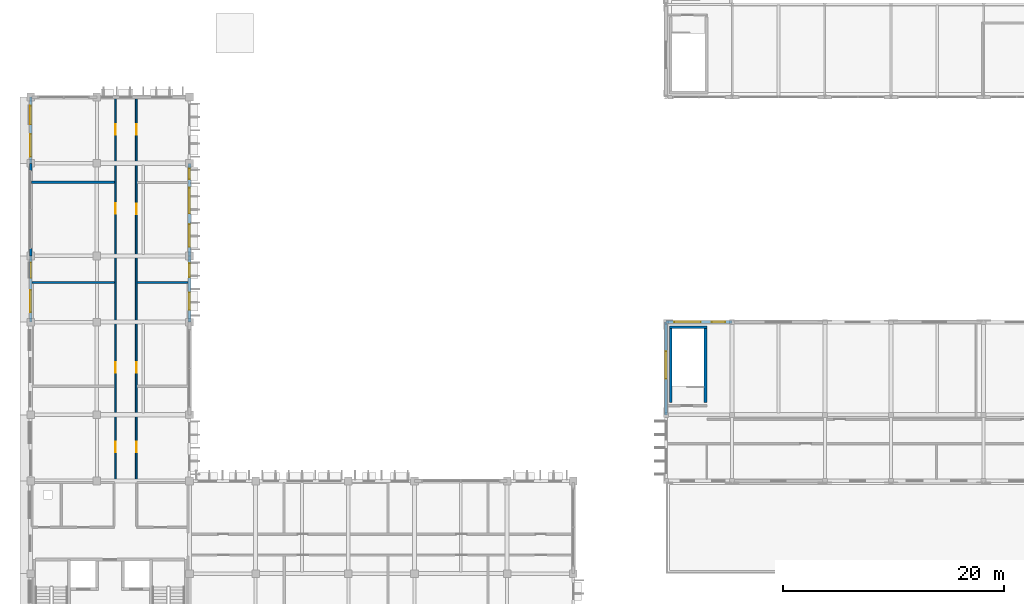
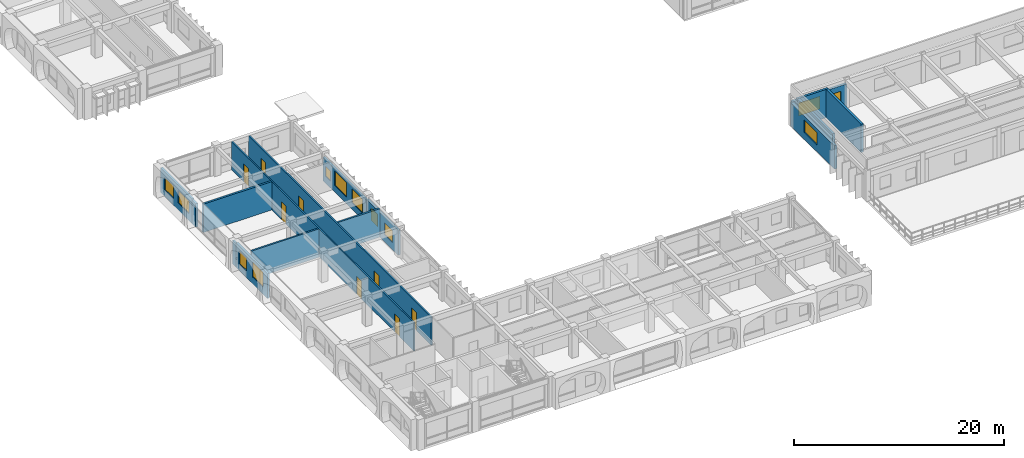
# One storey, part 49 of 88: 16 walls, 12 windows, 8 doors, 20 openings.
"""IFC4 building model written with IfcOpenShell, lengths in metres."""

from ifc_helpers import new_model, si_unit, direction, frame, frame_2d, origin, place, context, subcontext, project, spatial, rectangle, extrude, material, layer, layer_set, type_object, element, fill, save


model = new_model("IFC4")

# Units and contexts
model_context = context("Model", 3, precision=1e-05, world=origin(), true_north=direction((0.0, 1.0)))
body_context = subcontext(model_context, "Body", "Model", "MODEL_VIEW")
ifc_project = project(units=[si_unit("LENGTHUNIT", "METRE"), si_unit("AREAUNIT", "SQUARE_METRE"), si_unit("VOLUMEUNIT", "CUBIC_METRE"), si_unit("PLANEANGLEUNIT", "RADIAN"), si_unit("MASSUNIT", "GRAM", prefix="KILO"), si_unit("THERMODYNAMICTEMPERATUREUNIT", "KELVIN")], contexts=[model_context])

# Site, building, storey
site_placement = place(None, origin())
site = spatial("IfcSite", under=ifc_project, at=site_placement, CompositionType="ELEMENT")
building_placement = place(site_placement, origin())
building = spatial("IfcBuilding", under=site, at=building_placement, Name="Thalorik Housing Commons", CompositionType="ELEMENT")
storey_placement = place(building_placement, frame((0.0, 0.0, 4.5)))
storey = spatial("IfcBuildingStorey", under=building, at=storey_placement, Name="L01", CompositionType="ELEMENT", Elevation=4.5)

# Walls
ifc_material_1 = material(Name="Concrete C40/50", Category="concrete")
ifc_layer_1 = layer(ifc_material_1, 0.25, Name="Concrete C40/50", Category="concrete")
ifc_layer_set_1 = layer_set([ifc_layer_1], Name="Concrete C40/50")
wall_type_1 = type_object("IfcWallType", Name="ARC-WAL-CORE-250", PredefinedType="SHEAR", material=ifc_layer_set_1)
for number, where, z_axis, x_axis, name in (
    (1, (69.574951171875, 29.89990234375, 0.0), (0.0, 0.0, 1.0), (0.0, 1.0, 0.0), "L01 Stair ST-S1 Structural Support Wall L"),
    (2, (66.425048828125, 29.89990234375, 0.0), (0.0, 0.0, 1.0), (0.0, 1.0, 0.0), "L01 Stair ST-S1 Structural Support Wall R"),
):
    element("IfcWall", number, at=place(storey_placement, frame(where, z_axis=z_axis, x_axis=x_axis)), inside=storey, type_object=wall_type_1, Name=name, PredefinedType="SHEAR", context=body_context, shape_type="SweptSolid", body=[
        extrude(rectangle(XDim=6.7001953125, YDim=0.25, at=frame_2d((3.35009765625, 0.0))), origin(), (0.0, 0.0, 1.0), 3.300048828125),
    ])
wall_1_placement = place(storey_placement, frame((69.699951171875, 36.72509765625, 0.0), z_axis=(0.0, 0.0, 1.0), x_axis=(-1.0, 0.0, 0.0)))
element("IfcWall", 3, at=wall_1_placement, inside=storey, type_object=wall_type_1, Name="L01 Stair ST-S1 Structural Support Wall F", PredefinedType="SHEAR", context=body_context, shape_type="SweptSolid", body=[
    extrude(rectangle(XDim=3.39990234375, YDim=0.25, at=frame_2d((1.699951171875, 0.0))), origin(), (0.0, 0.0, 1.0), 3.300048828125),
])

# Wall, openings, doors
ifc_material_2 = material(Name="Masonry fire-rated corridor wall", Category="masonry")
ifc_layer_2 = layer(ifc_material_2, 0.14990234375, Name="Masonry fire-rated corridor wall", Category="masonry")
ifc_layer_set_2 = layer_set([ifc_layer_2], Name="Masonry fire-rated corridor wall")
wall_type_2 = type_object("IfcWallType", Name="ARC-WAL-CORR-150", PredefinedType="PARTITIONING", material=ifc_layer_set_2)
wall_2_placement = place(storey_placement, frame((16.080078125, 22.659912109375, 0.0), z_axis=(0.0, 0.0, 1.0), x_axis=(0.0, 1.0, 0.0)))
wall_2 = element("IfcWall", 4, at=wall_2_placement, inside=storey, type_object=wall_type_2, Name="L01 Block C W Corridor Wall 1", PredefinedType="PARTITIONING", context=body_context, shape_type="SweptSolid", body=[
    extrude(rectangle(XDim=34.820556640625, YDim=0.14990234375, at=frame_2d((17.41015625, 0.0))), origin(), (0.0, 0.0, 1.0), 3.300048828125),
])
opening_1_placement = place(wall_2_placement, frame((2.7490234375, 0.0, 0.0)))
opening_1 = element("IfcOpeningElement", 5, at=opening_1_placement, cuts=wall_2, Name="Opening ID-1586", PredefinedType="OPENING", context=body_context, shape_type="SweptSolid", body=[
    extrude(rectangle(XDim=0.949951171875, YDim=2.10009765625, at=frame_2d((0.47509765625, 1.050048828125))), frame((0.0, 0.0849609375, 0.0), z_axis=(0.0, -1.0, 0.0), x_axis=(1.0, 0.0, 0.0)), (0.0, 0.0, 1.0), 0.169921875),
])
opening_2_placement = place(wall_2_placement, frame((9.96630859375, 0.0, 0.0)))
opening_2 = element("IfcOpeningElement", 6, at=opening_2_placement, cuts=wall_2, Name="Opening ID-1587", PredefinedType="OPENING", context=body_context, shape_type="SweptSolid", body=[
    extrude(rectangle(XDim=0.949951171875, YDim=2.10009765625, at=frame_2d((0.47509765625, 1.050048828125))), frame((0.0, 0.0849609375, 0.0), z_axis=(0.0, -1.0, 0.0), x_axis=(1.0, 0.0, 0.0)), (0.0, 0.0, 1.0), 0.169921875),
])
opening_3_placement = place(wall_2_placement, frame((24.343017578125, 0.0, 0.0)))
opening_3 = element("IfcOpeningElement", 7, at=opening_3_placement, cuts=wall_2, Name="Opening ID-1588", PredefinedType="OPENING", context=body_context, shape_type="SweptSolid", body=[
    extrude(rectangle(XDim=0.949951171875, YDim=2.10009765625, at=frame_2d((0.47509765625, 1.050048828125))), frame((0.0, 0.0849609375, 0.0), z_axis=(0.0, -1.0, 0.0), x_axis=(1.0, 0.0, 0.0)), (0.0, 0.0, 1.0), 0.169921875),
])
opening_4_placement = place(wall_2_placement, frame((31.5419921875, 0.0, 0.0)))
opening_4 = element("IfcOpeningElement", 8, at=opening_4_placement, cuts=wall_2, Name="Opening ID-1589", PredefinedType="OPENING", context=body_context, shape_type="SweptSolid", body=[
    extrude(rectangle(XDim=0.949951171875, YDim=2.10009765625, at=frame_2d((0.47509765625, 1.050048828125))), frame((0.0, 0.0849609375, 0.0), z_axis=(0.0, -1.0, 0.0), x_axis=(1.0, 0.0, 0.0)), (0.0, 0.0, 1.0), 0.169921875),
])
ifc_material_3 = material(Name="Steel S355", Category="steel")
door_type_1 = type_object("IfcDoorType", Name="ARC-DR-FD60-950", OperationType="NOTDEFINED", PredefinedType="DOOR", material=ifc_material_3)
door_1_placement = place(opening_1_placement, origin())
door_1 = element("IfcDoor", 9, at=door_1_placement, inside=storey, type_object=door_type_1, Name="L01 Community Study Hall Entrance Door", OperationType="SINGLE_SWING_LEFT", OverallHeight=2.10009765625, OverallWidth=0.949951171875, PredefinedType="DOOR", context=body_context, shape_type="SweptSolid", body=[
    extrude(rectangle(XDim=0.949951171875, YDim=2.10009765625, at=frame_2d((0.47509765625, 1.050048828125))), frame((0.0, 0.02490234375, 0.0), z_axis=(0.0, -1.0, 0.0), x_axis=(1.0, 0.0, 0.0)), (0.0, 0.0, 1.0), 0.050048828125),
])
fill(opening_1, door_1)
door_2_placement = place(opening_2_placement, origin())
door_2 = element("IfcDoor", 10, at=door_2_placement, inside=storey, type_object=door_type_1, Name="L01 Shared Sewing Workshop Entrance Door", OperationType="SINGLE_SWING_RIGHT", OverallHeight=2.10009765625, OverallWidth=0.949951171875, PredefinedType="DOOR", context=body_context, shape_type="SweptSolid", body=[
    extrude(rectangle(XDim=0.949951171875, YDim=2.10009765625, at=frame_2d((0.47509765625, 1.050048828125))), frame((0.0, 0.02490234375, 0.0), z_axis=(0.0, -1.0, 0.0), x_axis=(1.0, 0.0, 0.0)), (0.0, 0.0, 1.0), 0.050048828125),
])
fill(opening_2, door_2)
door_3_placement = place(opening_3_placement, origin())
door_3 = element("IfcDoor", 11, at=door_3_placement, inside=storey, type_object=door_type_1, Name="L01 Digital Media Room Entrance Door", OperationType="SINGLE_SWING_LEFT", OverallHeight=2.10009765625, OverallWidth=0.949951171875, PredefinedType="DOOR", context=body_context, shape_type="SweptSolid", body=[
    extrude(rectangle(XDim=0.949951171875, YDim=2.10009765625, at=frame_2d((0.47509765625, 1.050048828125))), frame((0.0, 0.02490234375, 0.0), z_axis=(0.0, -1.0, 0.0), x_axis=(1.0, 0.0, 0.0)), (0.0, 0.0, 1.0), 0.050048828125),
])
fill(opening_3, door_3)
door_4_placement = place(opening_4_placement, origin())
door_4 = element("IfcDoor", 12, at=door_4_placement, inside=storey, type_object=door_type_1, Name="L01 Youth Reading Room Entrance Door", OperationType="SINGLE_SWING_RIGHT", OverallHeight=2.10009765625, OverallWidth=0.949951171875, PredefinedType="DOOR", context=body_context, shape_type="SweptSolid", body=[
    extrude(rectangle(XDim=0.949951171875, YDim=2.10009765625, at=frame_2d((0.47509765625, 1.050048828125))), frame((0.0, 0.02490234375, 0.0), z_axis=(0.0, -1.0, 0.0), x_axis=(1.0, 0.0, 0.0)), (0.0, 0.0, 1.0), 0.050048828125),
])
fill(opening_4, door_4)

ifc_layer_3 = layer(ifc_material_2, 0.1650390625, Name="Masonry fire-rated corridor wall", Category="masonry")
ifc_layer_set_3 = layer_set([ifc_layer_3], Name="Masonry fire-rated corridor wall")
wall_type_3 = type_object("IfcWallType", Name="ARC-WAL-CORR-165", PredefinedType="PARTITIONING", material=ifc_layer_set_3)
wall_3_placement = place(storey_placement, frame((17.97998046875, 22.659912109375, 0.0), z_axis=(0.0, 0.0, 1.0), x_axis=(0.0, 1.0, 0.0)))
wall_3 = element("IfcWall", 13, at=wall_3_placement, inside=storey, type_object=wall_type_3, Name="L01 Block C W Corridor Wall 2", PredefinedType="PARTITIONING", context=body_context, shape_type="SweptSolid", body=[
    extrude(rectangle(XDim=34.820556640625, YDim=0.1650390625, at=frame_2d((17.41015625, 0.0))), origin(), (0.0, 0.0, 1.0), 3.300048828125),
])
opening_5_placement = place(wall_3_placement, frame((2.74560546875, 0.0, 0.0)))
opening_5 = element("IfcOpeningElement", 14, at=opening_5_placement, cuts=wall_3, Name="Opening ID-1590", PredefinedType="OPENING", context=body_context, shape_type="SweptSolid", body=[
    extrude(rectangle(XDim=0.9599609375, YDim=2.1201171875, at=frame_2d((0.47998046875, 1.06005859375))), frame((0.0, 0.092529296875, 0.0), z_axis=(0.0, -1.0, 0.0), x_axis=(1.0, 0.0, 0.0)), (0.0, 0.0, 1.0), 0.18505859375),
])
opening_6_placement = place(wall_3_placement, frame((9.965087890625, 0.0, 0.0)))
opening_6 = element("IfcOpeningElement", 15, at=opening_6_placement, cuts=wall_3, Name="Opening ID-1591", PredefinedType="OPENING", context=body_context, shape_type="SweptSolid", body=[
    extrude(rectangle(XDim=0.919921875, YDim=2.10009765625, at=frame_2d((0.4599609375, 1.050048828125))), frame((0.0, 0.092529296875, 0.0), z_axis=(0.0, -1.0, 0.0), x_axis=(1.0, 0.0, 0.0)), (0.0, 0.0, 1.0), 0.18505859375),
])
opening_7_placement = place(wall_3_placement, frame((24.335205078125, 0.0, 0.0)))
opening_7 = element("IfcOpeningElement", 16, at=opening_7_placement, cuts=wall_3, Name="Opening ID-1592", PredefinedType="OPENING", context=body_context, shape_type="SweptSolid", body=[
    extrude(rectangle(XDim=0.919921875, YDim=2.10009765625, at=frame_2d((0.4599609375, 1.050048828125))), frame((0.0, 0.092529296875, 0.0), z_axis=(0.0, -1.0, 0.0), x_axis=(1.0, 0.0, 0.0)), (0.0, 0.0, 1.0), 0.18505859375),
])
opening_8_placement = place(wall_3_placement, frame((31.535400390625, 0.0, 0.0)))
opening_8 = element("IfcOpeningElement", 17, at=opening_8_placement, cuts=wall_3, Name="Opening ID-1593", PredefinedType="OPENING", context=body_context, shape_type="SweptSolid", body=[
    extrude(rectangle(XDim=0.919921875, YDim=2.10009765625, at=frame_2d((0.4599609375, 1.050048828125))), frame((0.0, 0.092529296875, 0.0), z_axis=(0.0, -1.0, 0.0), x_axis=(1.0, 0.0, 0.0)), (0.0, 0.0, 1.0), 0.18505859375),
])
ifc_material_4 = material(Name="Solid core hardwood timber", Category="wood")
door_type_2 = type_object("IfcDoorType", Name="ARC-DR-FD30-920", OperationType="NOTDEFINED", PredefinedType="DOOR", material=ifc_material_4)
door_5_placement = place(opening_6_placement, origin())
door_5 = element("IfcDoor", 18, at=door_5_placement, inside=storey, type_object=door_type_2, Name="L01 Ceramics and Print Workshop Door", OperationType="SINGLE_SWING_RIGHT", OverallHeight=2.10009765625, OverallWidth=0.919921875, PredefinedType="DOOR", context=body_context, shape_type="SweptSolid", body=[
    extrude(rectangle(XDim=0.919921875, YDim=2.10009765625, at=frame_2d((0.4599609375, 1.050048828125))), frame((0.0, 0.02490234375, 0.0), z_axis=(0.0, -1.0, 0.0), x_axis=(1.0, 0.0, 0.0)), (0.0, 0.0, 1.0), 0.050048828125),
])
fill(opening_6, door_5)
door_6_placement = place(opening_7_placement, origin())
door_6 = element("IfcDoor", 19, at=door_6_placement, inside=storey, type_object=door_type_2, Name="L01 Residents Health and Quiet Room Door", OperationType="SINGLE_SWING_LEFT", OverallHeight=2.10009765625, OverallWidth=0.919921875, PredefinedType="DOOR", context=body_context, shape_type="SweptSolid", body=[
    extrude(rectangle(XDim=0.919921875, YDim=2.10009765625, at=frame_2d((0.4599609375, 1.050048828125))), frame((0.0, 0.02490234375, 0.0), z_axis=(0.0, -1.0, 0.0), x_axis=(1.0, 0.0, 0.0)), (0.0, 0.0, 1.0), 0.050048828125),
])
fill(opening_7, door_6)
door_7_placement = place(opening_8_placement, origin())
door_7 = element("IfcDoor", 20, at=door_7_placement, inside=storey, type_object=door_type_2, Name="L01 Residents Study Room Door", OperationType="SINGLE_SWING_RIGHT", OverallHeight=2.10009765625, OverallWidth=0.919921875, PredefinedType="DOOR", context=body_context, shape_type="SweptSolid", body=[
    extrude(rectangle(XDim=0.919921875, YDim=2.10009765625, at=frame_2d((0.4599609375, 1.050048828125))), frame((0.0, 0.02490234375, 0.0), z_axis=(0.0, -1.0, 0.0), x_axis=(1.0, 0.0, 0.0)), (0.0, 0.0, 1.0), 0.050048828125),
])
fill(opening_8, door_7)
door_type_3 = type_object("IfcDoorType", Name="ARC-DR-FD30-960", OperationType="NOTDEFINED", PredefinedType="DOOR", material=ifc_material_4)
door_8_placement = place(opening_5_placement, origin())
door_8 = element("IfcDoor", 21, at=door_8_placement, inside=storey, type_object=door_type_3, Name="L01 Music and Craft Practice Room Door", OperationType="SINGLE_SWING_LEFT", OverallHeight=2.1201171875, OverallWidth=0.9599609375, PredefinedType="DOOR", context=body_context, shape_type="SweptSolid", body=[
    extrude(rectangle(XDim=0.9599609375, YDim=2.1201171875, at=frame_2d((0.47998046875, 1.06005859375))), frame((0.0, 0.02490234375, 0.0), z_axis=(0.0, -1.0, 0.0), x_axis=(1.0, 0.0, 0.0)), (0.0, 0.0, 1.0), 0.050048828125),
])
fill(opening_5, door_8)

# Wall, openings, windows
ifc_material_5 = material(Name="White precast concrete C40/50", Category="concrete")
ifc_layer_4 = layer(ifc_material_5, 0.235107421875, Name="White precast concrete C40/50", Category="concrete")
ifc_layer_set_4 = layer_set([ifc_layer_4], Name="White precast concrete C40/50")
wall_type_4 = type_object("IfcWallType", Name="ARC-WAL-EXT-235", PredefinedType="STANDARD", material=ifc_layer_set_4)
wall_4_placement = place(storey_placement, frame((22.800048828125, 37.199951171875, 0.0), z_axis=(0.0, 0.0, 1.0), x_axis=(0.0, 1.0, 0.0)))
wall_4 = element("IfcWall", 22, at=wall_4_placement, inside=storey, type_object=wall_type_4, Name="L01 Exterior Wall WAL-EXT-L01-C-0851", PredefinedType="STANDARD", context=body_context, shape_type="SweptSolid", body=[
    extrude(rectangle(XDim=6.0, YDim=0.235107421875, at=frame_2d((3.0, 0.0))), origin(), (0.0, 0.0, 1.0), 2.875),
])
opening_9_placement = place(wall_4_placement, frame((1.1201171875, 0.0, 0.780029296875)))
opening_9 = element("IfcOpeningElement", 23, at=opening_9_placement, cuts=wall_4, Name="Opening W-12", PredefinedType="OPENING", context=body_context, shape_type="SweptSolid", body=[
    extrude(rectangle(XDim=1.550048828125, YDim=1.39990234375, at=frame_2d((0.77490234375, 0.699951171875))), frame((0.0, 0.12744140625, 0.0), z_axis=(0.0, -1.0, 0.0), x_axis=(1.0, 0.0, 0.0)), (0.0, 0.0, 1.0), 0.255126953125),
])
opening_10_placement = place(wall_4_placement, frame((4.080078125, 0.0, 0.780029296875)))
opening_10 = element("IfcOpeningElement", 24, at=opening_10_placement, cuts=wall_4, Name="Opening W-47", PredefinedType="OPENING", context=body_context, shape_type="SweptSolid", body=[
    extrude(rectangle(XDim=1.25, YDim=1.449951171875, at=frame_2d((0.625, 0.72509765625))), frame((0.0, 0.12744140625, 0.0), z_axis=(0.0, -1.0, 0.0), x_axis=(1.0, 0.0, 0.0)), (0.0, 0.0, 1.0), 0.255126953125),
])
ifc_material_6 = material(Name="Anodised aluminium and solar-control low-E glass", Category="aluminium")
window_type_1 = type_object("IfcWindowType", Name="ARC-WIN-12", PartitioningType="SINGLE_PANEL", PredefinedType="WINDOW", material=ifc_material_6)
window_1_placement = place(opening_9_placement, origin())
window_1 = element("IfcWindow", 25, at=window_1_placement, inside=storey, type_object=window_type_1, Name="L01 Facade Window 1576", OverallHeight=1.39990234375, OverallWidth=1.550048828125, PartitioningType="SINGLE_PANEL", PredefinedType="WINDOW", context=body_context, shape_type="SweptSolid", body=[
    extrude(rectangle(XDim=1.550048828125, YDim=1.39990234375, at=frame_2d((0.77490234375, 0.699951171875))), frame((0.0, 0.030029296875, 0.0), z_axis=(0.0, -1.0, 0.0), x_axis=(1.0, 0.0, 0.0)), (0.0, 0.0, 1.0), 0.06005859375),
])
fill(opening_9, window_1)
window_type_2 = type_object("IfcWindowType", Name="ARC-WIN-47", PartitioningType="SINGLE_PANEL", PredefinedType="WINDOW", material=ifc_material_6)
window_2_placement = place(opening_10_placement, origin())
window_2 = element("IfcWindow", 26, at=window_2_placement, inside=storey, type_object=window_type_2, Name="L01 Facade Window 1577", OverallHeight=1.449951171875, OverallWidth=1.25, PartitioningType="SINGLE_PANEL", PredefinedType="WINDOW", context=body_context, shape_type="SweptSolid", body=[
    extrude(rectangle(XDim=1.25, YDim=1.449951171875, at=frame_2d((0.625, 0.72509765625))), frame((0.0, 0.030029296875, 0.0), z_axis=(0.0, -1.0, 0.0), x_axis=(1.0, 0.0, 0.0)), (0.0, 0.0, 1.0), 0.06005859375),
])
fill(opening_10, window_2)

wall_5_placement = place(storey_placement, frame((22.800048828125, 43.199951171875, 0.0), z_axis=(0.0, 0.0, 1.0), x_axis=(0.0, 1.0, 0.0)))
wall_5 = element("IfcWall", 27, at=wall_5_placement, inside=storey, type_object=wall_type_4, Name="L01 Exterior Wall WAL-EXT-L01-C-0852", PredefinedType="STANDARD", context=body_context, shape_type="SweptSolid", body=[
    extrude(rectangle(XDim=8.400146484375, YDim=0.235107421875, at=frame_2d((4.2001953125, 0.0))), origin(), (0.0, 0.0, 1.0), 2.72509765625),
])
opening_11_placement = place(wall_5_placement, frame((0.820068359375, 0.0, 0.780029296875)))
opening_11 = element("IfcOpeningElement", 28, at=opening_11_placement, cuts=wall_5, Name="Opening W-25", PredefinedType="OPENING", context=body_context, shape_type="SweptSolid", body=[
    extrude(rectangle(XDim=2.050048828125, YDim=1.60009765625, at=frame_2d((1.02490234375, 0.800048828125))), frame((0.0, 0.12744140625, 0.0), z_axis=(0.0, -1.0, 0.0), x_axis=(1.0, 0.0, 0.0)), (0.0, 0.0, 1.0), 0.255126953125),
])
opening_12_placement = place(wall_5_placement, frame((3.864990234375, 0.0, 0.780029296875)))
opening_12 = element("IfcOpeningElement", 29, at=opening_12_placement, cuts=wall_5, Name="Opening W-32", PredefinedType="OPENING", context=body_context, shape_type="SweptSolid", body=[
    extrude(rectangle(XDim=2.300048828125, YDim=1.699951171875, at=frame_2d((1.14990234375, 0.85009765625))), frame((0.0, 0.12744140625, 0.0), z_axis=(0.0, -1.0, 0.0), x_axis=(1.0, 0.0, 0.0)), (0.0, 0.0, 1.0), 0.255126953125),
])
opening_13_placement = place(wall_5_placement, frame((6.965087890625, 0.0, 0.780029296875)))
opening_13 = element("IfcOpeningElement", 30, at=opening_13_placement, cuts=wall_5, Name="Opening W-43", PredefinedType="OPENING", context=body_context, shape_type="SweptSolid", body=[
    extrude(rectangle(XDim=0.949951171875, YDim=1.14990234375, at=frame_2d((0.47509765625, 0.574951171875))), frame((0.0, 0.12744140625, 0.0), z_axis=(0.0, -1.0, 0.0), x_axis=(1.0, 0.0, 0.0)), (0.0, 0.0, 1.0), 0.255126953125),
])
window_type_3 = type_object("IfcWindowType", Name="ARC-WIN-25", PartitioningType="DOUBLE_PANEL_VERTICAL", PredefinedType="WINDOW", material=ifc_material_6)
window_3_placement = place(opening_11_placement, origin())
window_3 = element("IfcWindow", 31, at=window_3_placement, inside=storey, type_object=window_type_3, Name="L01 Facade Window 1578", OverallHeight=1.60009765625, OverallWidth=2.050048828125, PartitioningType="DOUBLE_PANEL_VERTICAL", PredefinedType="WINDOW", context=body_context, shape_type="SweptSolid", body=[
    extrude(rectangle(XDim=2.050048828125, YDim=1.60009765625, at=frame_2d((1.02490234375, 0.800048828125))), frame((0.0, 0.030029296875, 0.0), z_axis=(0.0, -1.0, 0.0), x_axis=(1.0, 0.0, 0.0)), (0.0, 0.0, 1.0), 0.06005859375),
])
fill(opening_11, window_3)
window_type_4 = type_object("IfcWindowType", Name="ARC-WIN-32", PartitioningType="DOUBLE_PANEL_VERTICAL", PredefinedType="WINDOW", material=ifc_material_6)
window_4_placement = place(opening_12_placement, origin())
window_4 = element("IfcWindow", 32, at=window_4_placement, inside=storey, type_object=window_type_4, Name="L01 Facade Window 1579", OverallHeight=1.699951171875, OverallWidth=2.300048828125, PartitioningType="DOUBLE_PANEL_VERTICAL", PredefinedType="WINDOW", context=body_context, shape_type="SweptSolid", body=[
    extrude(rectangle(XDim=2.300048828125, YDim=1.699951171875, at=frame_2d((1.14990234375, 0.85009765625))), frame((0.0, 0.030029296875, 0.0), z_axis=(0.0, -1.0, 0.0), x_axis=(1.0, 0.0, 0.0)), (0.0, 0.0, 1.0), 0.06005859375),
])
fill(opening_12, window_4)
window_type_5 = type_object("IfcWindowType", Name="ARC-WIN-43", PartitioningType="SINGLE_PANEL", PredefinedType="WINDOW", material=ifc_material_6)
window_5_placement = place(opening_13_placement, origin())
window_5 = element("IfcWindow", 33, at=window_5_placement, inside=storey, type_object=window_type_5, Name="L01 Facade Window 1580", OverallHeight=1.14990234375, OverallWidth=0.949951171875, PartitioningType="SINGLE_PANEL", PredefinedType="WINDOW", context=body_context, shape_type="SweptSolid", body=[
    extrude(rectangle(XDim=0.949951171875, YDim=1.14990234375, at=frame_2d((0.47509765625, 0.574951171875))), frame((0.0, 0.030029296875, 0.0), z_axis=(0.0, -1.0, 0.0), x_axis=(1.0, 0.0, 0.0)), (0.0, 0.0, 1.0), 0.06005859375),
])
fill(opening_13, window_5)

wall_6_placement = place(storey_placement, frame((8.39990234375, 57.60009765625, 0.0), z_axis=(0.0, 0.0, 1.0), x_axis=(0.0, -1.0, 0.0)))
wall_6 = element("IfcWall", 34, at=wall_6_placement, inside=storey, type_object=wall_type_4, Name="L01 Exterior Wall WAL-EXT-L01-C-0856", PredefinedType="STANDARD", context=body_context, shape_type="SweptSolid", body=[
    extrude(rectangle(XDim=6.0, YDim=0.235107421875, at=frame_2d((3.0, 0.0))), origin(), (0.0, 0.0, 1.0), 2.875),
])
opening_14_placement = place(wall_6_placement, frame((0.7900390625, 0.0, 0.780029296875)))
opening_14 = element("IfcOpeningElement", 35, at=opening_14_placement, cuts=wall_6, Name="Opening W-55", PredefinedType="OPENING", context=body_context, shape_type="SweptSolid", body=[
    extrude(rectangle(XDim=1.679931640625, YDim=1.4599609375, at=frame_2d((0.83984375, 0.72998046875))), frame((0.0, 0.12744140625, 0.0), z_axis=(0.0, -1.0, 0.0), x_axis=(1.0, 0.0, 0.0)), (0.0, 0.0, 1.0), 0.255126953125),
])
opening_15_placement = place(wall_6_placement, frame((3.35009765625, 0.0, 0.780029296875)))
opening_15 = element("IfcOpeningElement", 36, at=opening_15_placement, cuts=wall_6, Name="Opening W-62", PredefinedType="OPENING", context=body_context, shape_type="SweptSolid", body=[
    extrude(rectangle(XDim=2.0400390625, YDim=1.4599609375, at=frame_2d((1.02001953125, 0.72998046875))), frame((0.0, 0.12744140625, 0.0), z_axis=(0.0, -1.0, 0.0), x_axis=(1.0, 0.0, 0.0)), (0.0, 0.0, 1.0), 0.255126953125),
])
window_type_6 = type_object("IfcWindowType", Name="ARC-WIN-55", PartitioningType="DOUBLE_PANEL_VERTICAL", PredefinedType="WINDOW", material=ifc_material_6)
window_6_placement = place(opening_14_placement, origin())
window_6 = element("IfcWindow", 37, at=window_6_placement, inside=storey, type_object=window_type_6, Name="L01 Facade Window 1586", OverallHeight=1.4599609375, OverallWidth=1.679931640625, PartitioningType="DOUBLE_PANEL_VERTICAL", PredefinedType="WINDOW", context=body_context, shape_type="SweptSolid", body=[
    extrude(rectangle(XDim=1.679931640625, YDim=1.4599609375, at=frame_2d((0.83984375, 0.72998046875))), frame((0.0, 0.030029296875, 0.0), z_axis=(0.0, -1.0, 0.0), x_axis=(1.0, 0.0, 0.0)), (0.0, 0.0, 1.0), 0.06005859375),
])
fill(opening_14, window_6)
window_type_7 = type_object("IfcWindowType", Name="ARC-WIN-62", PartitioningType="DOUBLE_PANEL_VERTICAL", PredefinedType="WINDOW", material=ifc_material_6)
window_7_placement = place(opening_15_placement, origin())
window_7 = element("IfcWindow", 38, at=window_7_placement, inside=storey, type_object=window_type_7, Name="L01 Facade Window 1587", OverallHeight=1.4599609375, OverallWidth=2.0400390625, PartitioningType="DOUBLE_PANEL_VERTICAL", PredefinedType="WINDOW", context=body_context, shape_type="SweptSolid", body=[
    extrude(rectangle(XDim=2.0400390625, YDim=1.4599609375, at=frame_2d((1.02001953125, 0.72998046875))), frame((0.0, 0.030029296875, 0.0), z_axis=(0.0, -1.0, 0.0), x_axis=(1.0, 0.0, 0.0)), (0.0, 0.0, 1.0), 0.06005859375),
])
fill(opening_15, window_7)

# Walls
wall_7_placement = place(storey_placement, frame((8.39990234375, 51.60009765625, 0.0), z_axis=(0.0, 0.0, 1.0), x_axis=(0.0, -1.0, 0.0)))
element("IfcWall", 39, at=wall_7_placement, inside=storey, type_object=wall_type_4, Name="L01 Exterior Wall WAL-PIERL-L01-C-0857", PredefinedType="STANDARD", context=body_context, shape_type="SweptSolid", body=[
    extrude(rectangle(XDim=0.7001953125, YDim=0.235107421875, at=frame_2d((0.35009765625, 0.0))), origin(), (0.0, 0.0, 1.0), 2.72509765625),
])
wall_8_placement = place(storey_placement, frame((8.39990234375, 43.89990234375, 0.0), z_axis=(0.0, 0.0, 1.0), x_axis=(0.0, -1.0, 0.0)))
element("IfcWall", 40, at=wall_8_placement, inside=storey, type_object=wall_type_4, Name="L01 Exterior Wall WAL-PIERR-L01-C-0857", PredefinedType="STANDARD", context=body_context, shape_type="SweptSolid", body=[
    extrude(rectangle(XDim=0.699951171875, YDim=0.235107421875, at=frame_2d((0.35009765625, 0.0))), origin(), (0.0, 0.0, 1.0), 2.72509765625),
])

# Wall, openings, windows
wall_9_placement = place(storey_placement, frame((8.39990234375, 43.199951171875, 0.0), z_axis=(0.0, 0.0, 1.0), x_axis=(0.0, -1.0, 0.0)))
wall_9 = element("IfcWall", 41, at=wall_9_placement, inside=storey, type_object=wall_type_4, Name="L01 Exterior Wall WAL-EXT-L01-C-0858", PredefinedType="STANDARD", context=body_context, shape_type="SweptSolid", body=[
    extrude(rectangle(XDim=6.0, YDim=0.235107421875, at=frame_2d((3.0, 0.0))), origin(), (0.0, 0.0, 1.0), 2.875),
])
opening_16_placement = place(wall_9_placement, frame((0.60498046875, 0.0, 0.780029296875)))
opening_16 = element("IfcOpeningElement", 42, at=opening_16_placement, cuts=wall_9, Name="Opening W-49", PredefinedType="OPENING", context=body_context, shape_type="SweptSolid", body=[
    extrude(rectangle(XDim=1.3798828125, YDim=1.47998046875, at=frame_2d((0.68994140625, 0.739990234375))), frame((0.0, 0.12744140625, 0.0), z_axis=(0.0, -1.0, 0.0), x_axis=(1.0, 0.0, 0.0)), (0.0, 0.0, 1.0), 0.255126953125),
])
opening_17_placement = place(wall_9_placement, frame((3.10498046875, 0.0, 0.780029296875)))
opening_17 = element("IfcOpeningElement", 43, at=opening_17_placement, cuts=wall_9, Name="Opening W-24", PredefinedType="OPENING", context=body_context, shape_type="SweptSolid", body=[
    extrude(rectangle(XDim=2.0, YDim=1.75, at=frame_2d((1.0, 0.875))), frame((0.0, 0.12744140625, 0.0), z_axis=(0.0, -1.0, 0.0), x_axis=(1.0, 0.0, 0.0)), (0.0, 0.0, 1.0), 0.255126953125),
])
window_type_8 = type_object("IfcWindowType", Name="ARC-WIN-24", PartitioningType="DOUBLE_PANEL_VERTICAL", PredefinedType="WINDOW", material=ifc_material_6)
window_8_placement = place(opening_17_placement, origin())
window_8 = element("IfcWindow", 44, at=window_8_placement, inside=storey, type_object=window_type_8, Name="L01 Facade Window 1589", OverallHeight=1.75, OverallWidth=2.0, PartitioningType="DOUBLE_PANEL_VERTICAL", PredefinedType="WINDOW", context=body_context, shape_type="SweptSolid", body=[
    extrude(rectangle(XDim=2.0, YDim=1.75, at=frame_2d((1.0, 0.875))), frame((0.0, 0.030029296875, 0.0), z_axis=(0.0, -1.0, 0.0), x_axis=(1.0, 0.0, 0.0)), (0.0, 0.0, 1.0), 0.06005859375),
])
fill(opening_17, window_8)
window_type_9 = type_object("IfcWindowType", Name="ARC-WIN-49", PartitioningType="SINGLE_PANEL", PredefinedType="WINDOW", material=ifc_material_6)
window_9_placement = place(opening_16_placement, origin())
window_9 = element("IfcWindow", 45, at=window_9_placement, inside=storey, type_object=window_type_9, Name="L01 Facade Window 1588", OverallHeight=1.47998046875, OverallWidth=1.3798828125, PartitioningType="SINGLE_PANEL", PredefinedType="WINDOW", context=body_context, shape_type="SweptSolid", body=[
    extrude(rectangle(XDim=1.3798828125, YDim=1.47998046875, at=frame_2d((0.68994140625, 0.739990234375))), frame((0.0, 0.030029296875, 0.0), z_axis=(0.0, -1.0, 0.0), x_axis=(1.0, 0.0, 0.0)), (0.0, 0.0, 1.0), 0.06005859375),
])
fill(opening_16, window_9)

ifc_layer_5 = layer(ifc_material_5, 0.27490234375, Name="White precast concrete C40/50", Category="concrete")
ifc_layer_set_5 = layer_set([ifc_layer_5], Name="White precast concrete C40/50")
wall_type_5 = type_object("IfcWallType", Name="ARC-WAL-EXT-275", PredefinedType="STANDARD", material=ifc_layer_set_5)
wall_10_placement = place(storey_placement, frame((72.0, 37.199951171875, 0.0), z_axis=(0.0, 0.0, 1.0), x_axis=(-1.0, 0.0, 0.0)))
wall_10 = element("IfcWall", 46, at=wall_10_placement, inside=storey, type_object=wall_type_5, Name="L01 Exterior Wall WAL-SHOP-L01-1394", PredefinedType="STANDARD", context=body_context, shape_type="SweptSolid", body=[
    extrude(rectangle(XDim=6.0, YDim=0.27490234375, at=frame_2d((3.0, 0.0))), origin(), (0.0, 0.0, 1.0), 2.77490234375),
])
opening_18_placement = place(wall_10_placement, frame((0.64501953125, 0.0, 0.800048828125)))
opening_18 = element("IfcOpeningElement", 47, at=opening_18_placement, cuts=wall_10, Name="Opening W-04", PredefinedType="OPENING", context=body_context, shape_type="SweptSolid", body=[
    extrude(rectangle(XDim=1.199951171875, YDim=1.35009765625, at=frame_2d((0.60009765625, 0.675048828125))), frame((0.0, 0.1474609375, 0.0), z_axis=(0.0, -1.0, 0.0), x_axis=(1.0, 0.0, 0.0)), (0.0, 0.0, 1.0), 0.294921875),
])
opening_19_placement = place(wall_10_placement, frame((2.864990234375, 0.0, 0.800048828125)))
opening_19 = element("IfcOpeningElement", 48, at=opening_19_placement, cuts=wall_10, Name="Opening W-69", PredefinedType="OPENING", context=body_context, shape_type="SweptSolid", body=[
    extrude(rectangle(XDim=2.3798828125, YDim=1.47998046875, at=frame_2d((1.18994140625, 0.739990234375))), frame((0.0, 0.1474609375, 0.0), z_axis=(0.0, -1.0, 0.0), x_axis=(1.0, 0.0, 0.0)), (0.0, 0.0, 1.0), 0.294921875),
])
window_type_10 = type_object("IfcWindowType", Name="ARC-WIN-04", PartitioningType="SINGLE_PANEL", PredefinedType="WINDOW", material=ifc_material_6)
window_10_placement = place(opening_18_placement, origin())
window_10 = element("IfcWindow", 49, at=window_10_placement, inside=storey, type_object=window_type_10, Name="L01 Facade Window 2432", OverallHeight=1.35009765625, OverallWidth=1.199951171875, PartitioningType="SINGLE_PANEL", PredefinedType="WINDOW", context=body_context, shape_type="SweptSolid", body=[
    extrude(rectangle(XDim=1.199951171875, YDim=1.35009765625, at=frame_2d((0.60009765625, 0.675048828125))), frame((0.0, 0.030029296875, 0.0), z_axis=(0.0, -1.0, 0.0), x_axis=(1.0, 0.0, 0.0)), (0.0, 0.0, 1.0), 0.06005859375),
])
fill(opening_18, window_10)
window_type_11 = type_object("IfcWindowType", Name="ARC-WIN-69", PartitioningType="DOUBLE_PANEL_VERTICAL", PredefinedType="WINDOW", material=ifc_material_6)
window_11_placement = place(opening_19_placement, origin())
window_11 = element("IfcWindow", 50, at=window_11_placement, inside=storey, type_object=window_type_11, Name="L01 Facade Window 2433", OverallHeight=1.47998046875, OverallWidth=2.3798828125, PartitioningType="DOUBLE_PANEL_VERTICAL", PredefinedType="WINDOW", context=body_context, shape_type="SweptSolid", body=[
    extrude(rectangle(XDim=2.3798828125, YDim=1.47998046875, at=frame_2d((1.18994140625, 0.739990234375))), frame((0.0, 0.030029296875, 0.0), z_axis=(0.0, -1.0, 0.0), x_axis=(1.0, 0.0, 0.0)), (0.0, 0.0, 1.0), 0.06005859375),
])
fill(opening_19, window_11)

# Wall, opening, window
wall_11_placement = place(storey_placement, frame((66.0, 37.199951171875, 0.0), z_axis=(0.0, 0.0, 1.0), x_axis=(0.0, -1.0, 0.0)))
wall_11 = element("IfcWall", 51, at=wall_11_placement, inside=storey, type_object=wall_type_5, Name="L01 Exterior Wall WAL-SHOP-L01-1395", PredefinedType="STANDARD", context=body_context, shape_type="SweptSolid", body=[
    extrude(rectangle(XDim=8.39990234375, YDim=0.27490234375, at=frame_2d((4.199951171875, 0.0))), origin(), (0.0, 0.0, 1.0), 2.72509765625),
])
opening_20_placement = place(wall_11_placement, frame((2.64501953125, 0.0, 0.800048828125)))
opening_20 = element("IfcOpeningElement", 52, at=opening_20_placement, cuts=wall_11, Name="Opening W-71", PredefinedType="OPENING", context=body_context, shape_type="SweptSolid", body=[
    extrude(rectangle(XDim=2.47998046875, YDim=1.4599609375, at=frame_2d((1.239990234375, 0.72998046875))), frame((0.0, 0.1474609375, 0.0), z_axis=(0.0, -1.0, 0.0), x_axis=(1.0, 0.0, 0.0)), (0.0, 0.0, 1.0), 0.294921875),
])
window_type_12 = type_object("IfcWindowType", Name="ARC-WIN-71", PartitioningType="DOUBLE_PANEL_VERTICAL", PredefinedType="WINDOW", material=ifc_material_6)
window_12_placement = place(opening_20_placement, origin())
window_12 = element("IfcWindow", 53, at=window_12_placement, inside=storey, type_object=window_type_12, Name="L01 Facade Window 2434", OverallHeight=1.4599609375, OverallWidth=2.47998046875, PartitioningType="DOUBLE_PANEL_VERTICAL", PredefinedType="WINDOW", context=body_context, shape_type="SweptSolid", body=[
    extrude(rectangle(XDim=2.47998046875, YDim=1.4599609375, at=frame_2d((1.239990234375, 0.72998046875))), frame((0.0, 0.030029296875, 0.0), z_axis=(0.0, -1.0, 0.0), x_axis=(1.0, 0.0, 0.0)), (0.0, 0.0, 1.0), 0.06005859375),
])
fill(opening_20, window_12)

# Walls
ifc_material_7 = material(Name="Masonry acoustic blockwork wall", Category="masonry")
ifc_layer_6 = layer(ifc_material_7, 0.18505859375, Name="Masonry acoustic blockwork wall", Category="masonry")
ifc_layer_set_6 = layer_set([ifc_layer_6], Name="Masonry acoustic blockwork wall")
wall_type_6 = type_object("IfcWallType", Name="ARC-WAL-PARTY-185", PredefinedType="PARTITIONING", material=ifc_layer_set_6)
wall_12_placement = place(storey_placement, frame((8.51953125, 40.800048828125, 0.0), z_axis=(0.0, 0.0, 1.0), x_axis=(1.0, 0.0, 0.0)))
element("IfcWall", 54, at=wall_12_placement, inside=storey, type_object=wall_type_6, Name="L01 Inter-Tenancy Wall 2A", PredefinedType="PARTITIONING", context=body_context, shape_type="SweptSolid", body=[
    extrude(rectangle(XDim=7.4833984375, YDim=0.18505859375, at=frame_2d((3.74169921875, 0.0))), origin(), (0.0, 0.0, 1.0), 3.300048828125),
])
ifc_material_8 = material(Name="Precast concrete C40/50 acoustic wall", Category="concrete")
ifc_layer_7 = layer(ifc_material_8, 0.199951171875, Name="Precast concrete C40/50 acoustic wall", Category="concrete")
ifc_layer_set_7 = layer_set([ifc_layer_7], Name="Precast concrete C40/50 acoustic wall")
wall_type_7 = type_object("IfcWallType", Name="ARC-WAL-PARTY-200", PredefinedType="PARTITIONING", material=ifc_layer_set_7)
wall_13_placement = place(storey_placement, frame((18.064453125, 40.800048828125, 0.0), z_axis=(0.0, 0.0, 1.0), x_axis=(1.0, 0.0, 0.0)))
element("IfcWall", 55, at=wall_13_placement, inside=storey, type_object=wall_type_7, Name="L01 Inter-Tenancy Wall 2B", PredefinedType="PARTITIONING", context=body_context, shape_type="SweptSolid", body=[
    extrude(rectangle(XDim=4.615966796875, YDim=0.199951171875, at=frame_2d((2.30810546875, 0.0))), origin(), (0.0, 0.0, 1.0), 3.300048828125),
])
ifc_layer_8 = layer(ifc_material_8, 0.219970703125, Name="Precast concrete C40/50 acoustic wall", Category="concrete")
ifc_layer_set_8 = layer_set([ifc_layer_8], Name="Precast concrete C40/50 acoustic wall")
wall_type_8 = type_object("IfcWallType", Name="ARC-WAL-PARTY-220", PredefinedType="PARTITIONING", material=ifc_layer_set_8)
wall_14_placement = place(storey_placement, frame((8.4599609375, 49.8701171875, 0.0), z_axis=(0.0, 0.0, 1.0), x_axis=(1.0, 0.0, 0.0)))
element("IfcWall", 56, at=wall_14_placement, inside=storey, type_object=wall_type_8, Name="L01 Inter-Tenancy Wall 3A", PredefinedType="PARTITIONING", context=body_context, shape_type="SweptSolid", body=[
    extrude(rectangle(XDim=7.54296875, YDim=0.219970703125, at=frame_2d((3.771484375, 0.0))), origin(), (0.0, 0.0, 1.0), 3.300048828125),
])

save(model, "model.ifc")
